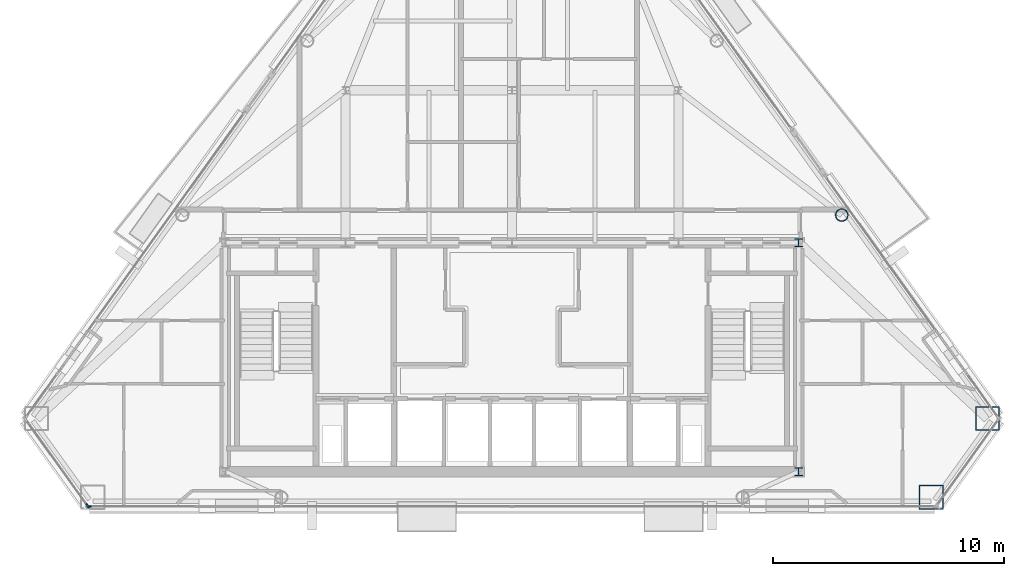
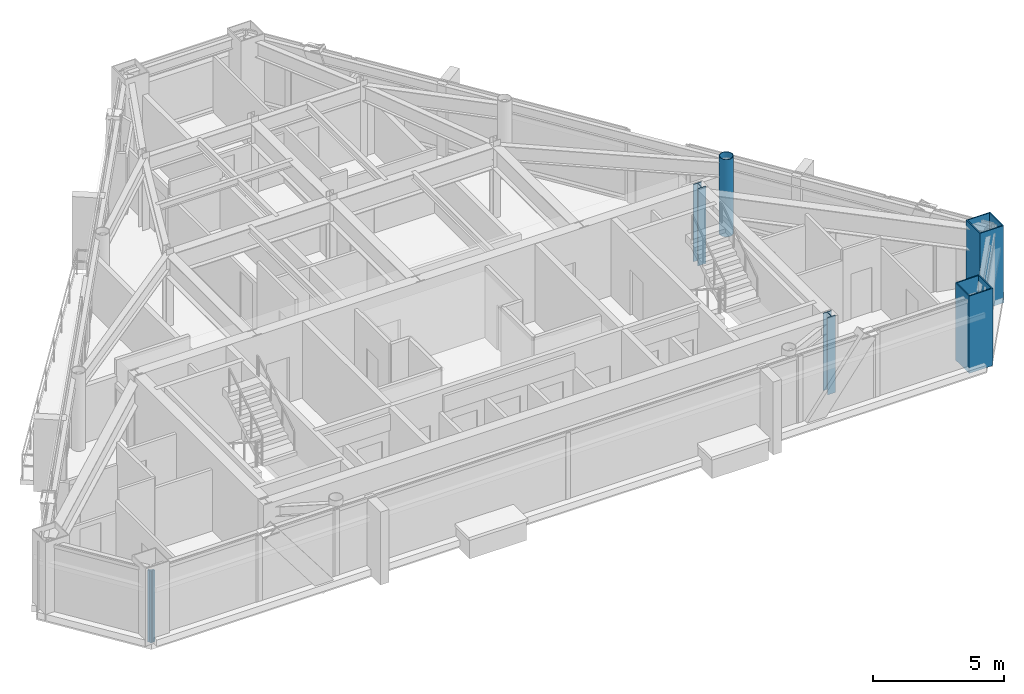
# One storey, part 2 of 11: 5 columns, 2 members, 2 elements without a shape of their own.
"""IFC4 building model written with IfcOpenShell, lengths in metres."""

from ifc_helpers import new_model, si_unit, direction, frame, origin, origin_2d, place, context, subcontext, project, spatial, rectangle, hollow_rectangle, hollow_circle, i_section, extrude, material, layer, layer_set, material_profile, profile_set, type_object, element, aggregate, save


model = new_model("IFC4")

# Units and contexts
model_context = context("Model", 3, precision=1e-05, world=origin(), true_north=direction((0.0, 1.0)))
body_context = subcontext(model_context, "Body", "Model", "MODEL_VIEW")
ifc_project = project(units=[si_unit("LENGTHUNIT", "METRE"), si_unit("AREAUNIT", "SQUARE_METRE"), si_unit("VOLUMEUNIT", "CUBIC_METRE"), si_unit("PLANEANGLEUNIT", "RADIAN"), si_unit("MASSUNIT", "GRAM", prefix="KILO")], contexts=[model_context])

# Site, building, storey
site_placement = place(None, origin())
site = spatial("IfcSite", under=ifc_project, at=site_placement, CompositionType="ELEMENT")
building_placement = place(site_placement, origin())
building = spatial("IfcBuilding", under=site, at=building_placement, Name="Talgorran Terracotta Tower", CompositionType="ELEMENT")
storey_placement = place(building_placement, frame((0.0, 0.0, 237.0)))
storey = spatial("IfcBuildingStorey", under=building, at=storey_placement, Name="L62", CompositionType="ELEMENT", Elevation=237.0)

# Columns
ifc_material_1 = material(Name="Steel S355 (300PLUS)", Category="steel")
ifc_material_profile_1 = material_profile(ifc_material_1, i_section(OverallWidth=0.35205078125, OverallDepth=0.35888671875, WebThickness=0.01806640625, FlangeThickness=0.02587890625, at=origin_2d()), Name="350WC197")
ifc_profile_set_1 = profile_set([ifc_material_profile_1], Name="Steel S355 (300PLUS)")
column_type_1 = type_object("IfcColumnType", Name="COL_350WC197", PredefinedType="COLUMN", material=ifc_profile_set_1)
for number, where, z_axis, x_axis, name in (
    (1, (12.39990234375, -14.10009765625, 0.0), (0.0, 0.0, 1.0), (1.0, 0.0, 0.0), "L62 Core Boundary Column CC2"),
    (2, (12.39990234375, -4.199951171875, 0.0), (0.0, 0.0, 1.0), (1.0, 0.0, 0.0), "L62 Core Boundary Column CC3"),
):
    element("IfcColumn", number, at=place(storey_placement, frame(where, z_axis=z_axis, x_axis=x_axis)), inside=storey, type_object=column_type_1, Name=name, PredefinedType="COLUMN", context=body_context, shape_type="SweptSolid", body=[
        extrude(i_section(OverallWidth=0.35205078125, OverallDepth=0.35888671875, WebThickness=0.01806640625, FlangeThickness=0.02587890625, at=origin_2d()), origin(), (0.0, 0.0, 1.0), 3.60009765625),
    ])
ifc_material_2 = material(Name="Steel Grade 350 (350L0)", Category="steel")
ifc_material_profile_2 = material_profile(ifc_material_2, hollow_rectangle(XDim=1.050048828125, YDim=1.050048828125, WallThickness=0.044921875, at=origin_2d()), Name="CFT1050X1050X45")
ifc_profile_set_2 = profile_set([ifc_material_profile_2], Name="Steel Grade 350 (350L0)")
column_type_2 = type_object("IfcColumnType", Name="COL_CFT_1050", PredefinedType="COLUMN", material=ifc_profile_set_2)
for number, where, z_axis, x_axis, name in (
    (3, (18.13720703125, -15.207763671875, 0.0), (0.0, 0.0, 1.0), (1.0, 0.0, 0.0), "L62 Corner CFT Mega-Column MC3"),
    (4, (20.5791015625, -11.802001953125, 0.0), (0.0, 0.0, 1.0), (1.0, 0.0, 0.0), "L62 Corner CFT Mega-Column MC4"),
):
    element("IfcColumn", number, at=place(storey_placement, frame(where, z_axis=z_axis, x_axis=x_axis)), inside=storey, type_object=column_type_2, Name=name, PredefinedType="COLUMN", context=body_context, shape_type="SweptSolid", body=[
        extrude(hollow_rectangle(XDim=1.050048828125, YDim=1.050048828125, WallThickness=0.044921875, at=origin_2d()), origin(), (0.0, 0.0, 1.0), 3.60009765625),
    ])
ifc_material_profile_3 = material_profile(ifc_material_2, hollow_circle(Radius=0.27490234375, WallThickness=0.02392578125, at=origin_2d()), Name="CHS550X24")
ifc_profile_set_3 = profile_set([ifc_material_profile_3], Name="Steel Grade 350 (350L0)")
column_type_3 = type_object("IfcColumnType", Name="COL_CHS_550", PredefinedType="COLUMN", material=ifc_profile_set_3)
column_placement = place(storey_placement, frame((14.26806640625, -2.999267578125, 0.0), z_axis=(0.0, 0.0, 1.0), x_axis=(1.0, 0.0, 0.0)))
element("IfcColumn", 5, at=column_placement, inside=storey, type_object=column_type_3, Name="L62 Facet Perimeter Column FC3", PredefinedType="COLUMN", context=body_context, shape_type="SweptSolid", body=[
    extrude(hollow_circle(Radius=0.27490234375, WallThickness=0.02392578125, at=origin_2d()), origin(), (0.0, 0.0, 1.0), 3.60009765625),
])

# Curtain wall, member
ifc_material_3 = material(Name="High-Wind Unitised Glazing", Category="glass")
ifc_layer = layer(ifc_material_3, 0.2099609375, Name="CW_SYS3_RES_HIGH")
ifc_layer_set = layer_set([ifc_layer], Name="High-Wind Unitised Glazing")
curtain_wall_type = type_object("IfcCurtainWallType", Name="CW_SYS3_RES_HIGH", PredefinedType="NOTDEFINED", material=ifc_layer_set)
curtain_wall_1_placement = place(storey_placement, origin())
curtain_wall_1 = element("IfcCurtainWall", 6, at=curtain_wall_1_placement, inside=storey, type_object=curtain_wall_type, Name="CW-L62-F0", PredefinedType="NOTDEFINED")
ifc_material_4 = material(Name="Architectural Aluminium 6063-T6", Category="aluminium")
ifc_material_profile_4 = material_profile(ifc_material_4, rectangle(XDim=0.070068359375, YDim=0.199951171875, at=origin_2d()), Name="CWM70X200")
ifc_profile_set_4 = profile_set([ifc_material_profile_4], Name="Architectural Aluminium 6063-T6")
member_type = type_object("IfcMemberType", Name="MUL_70X200", PredefinedType="MULLION", material=ifc_profile_set_4)
member_1_placement = place(storey_placement, frame((-18.363037109375, -15.579345703125, 0.0), z_axis=(0.0, 0.0, 1.0), x_axis=(0.812714993724, 0.582661427396, 0.0)))
member_1 = element("IfcMember", 7, at=member_1_placement, type_object=member_type, Name="CW-L62-0 mullion 2", PredefinedType="MULLION", context=body_context, shape_type="SweptSolid", body=[
    extrude(rectangle(XDim=0.070068359375, YDim=0.199951171875, at=origin_2d()), origin(), (0.0, 0.0, 1.0), 3.344970703125),
])
aggregate(curtain_wall_1, [member_1])

curtain_wall_2_placement = place(storey_placement, origin())
curtain_wall_2 = element("IfcCurtainWall", 8, at=curtain_wall_2_placement, inside=storey, type_object=curtain_wall_type, Name="CW-L62-F1", PredefinedType="NOTDEFINED")
member_2_placement = place(storey_placement, frame((-18.3076171875, -15.60791015625, 0.0), z_axis=(0.0, 0.0, 1.0), x_axis=(0.0, 1.0, 0.0)))
member_2 = element("IfcMember", 9, at=member_2_placement, type_object=member_type, Name="CW-L62-1 mullion 1", PredefinedType="MULLION", context=body_context, shape_type="SweptSolid", body=[
    extrude(rectangle(XDim=0.070068359375, YDim=0.199951171875, at=origin_2d()), origin(), (0.0, 0.0, 1.0), 3.344970703125),
])
aggregate(curtain_wall_2, [member_2])

save(model, "model.ifc")
